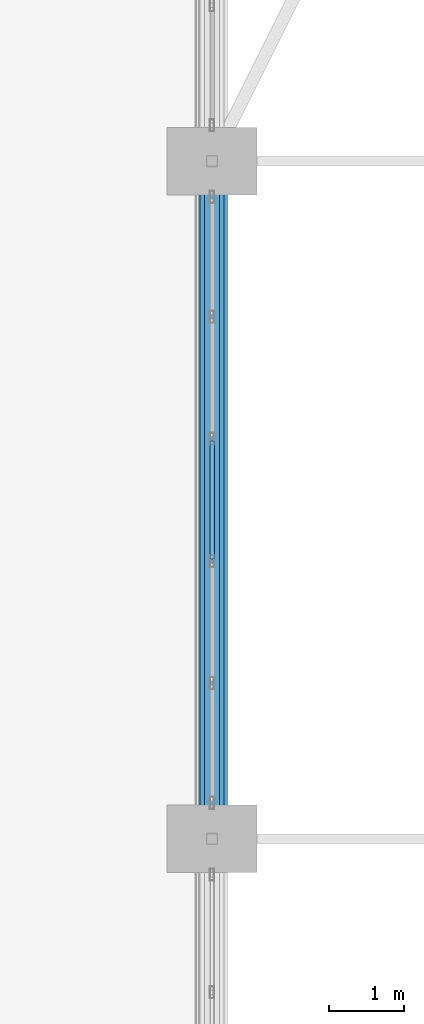
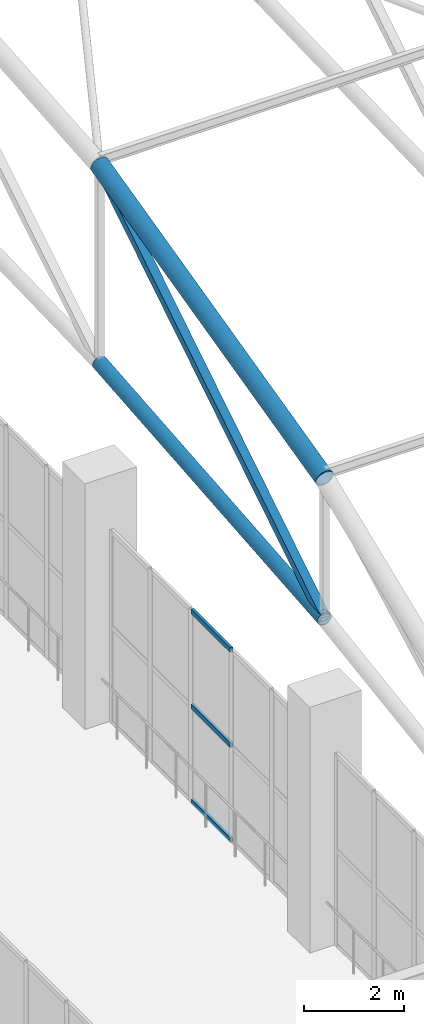
# One storey, part 37 of 223: 6 members, 1 element without a shape of its own.
"""IFC4 building model written with IfcOpenShell, lengths in metres."""

from ifc_helpers import new_model, si_unit, direction, frame, origin, origin_2d, place, context, subcontext, project, spatial, hollow_rectangle, hollow_circle, extrude, material, layer, layer_set, material_profile, profile_set, type_object, element, aggregate, save


model = new_model("IFC4")

# Units and contexts
model_context = context("Model", 3, precision=1e-05, world=origin(), true_north=direction((0.0, 1.0)))
body_context = subcontext(model_context, "Body", "Model", "MODEL_VIEW")
ifc_project = project(units=[si_unit("LENGTHUNIT", "METRE"), si_unit("AREAUNIT", "SQUARE_METRE"), si_unit("VOLUMEUNIT", "CUBIC_METRE"), si_unit("PLANEANGLEUNIT", "RADIAN"), si_unit("MASSUNIT", "GRAM", prefix="KILO")], contexts=[model_context])

# Site, building, storey
site_placement = place(None, origin())
site = spatial("IfcSite", under=ifc_project, at=site_placement, CompositionType="ELEMENT")
building_placement = place(site_placement, origin())
building = spatial("IfcBuilding", under=site, at=building_placement, Name="Dornveld Trade and Exhibition Forum", CompositionType="ELEMENT")
storey_placement = place(building_placement, frame((0.0, 0.0, 6.0)))
storey = spatial("IfcBuildingStorey", under=building, at=storey_placement, Name="L01", CompositionType="ELEMENT", Elevation=6.0)

# Curtain wall, members
ifc_material_1 = material(Name="Dark-bronze anodised aluminium and low-E glass", Category="aluminium")
ifc_layer = layer(ifc_material_1, 0.172119140625)
ifc_layer_set = layer_set([ifc_layer], Name="Dark-bronze anodised aluminium and low-E glass")
curtain_wall_type = type_object("IfcCurtainWallType", Name="CW-SYS-10", PredefinedType="USERDEFINED", material=ifc_layer_set)
curtain_wall_placement = place(storey_placement, origin())
curtain_wall = element("IfcCurtainWall", 1, at=curtain_wall_placement, inside=storey, type_object=curtain_wall_type, Name="L01 unitised curtain wall 10", ObjectType="UNITISED_CURTAIN_WALL", PredefinedType="USERDEFINED")
ifc_material_2 = material(Name="Dark-bronze anodised aluminium", Category="aluminium")
ifc_material_profile_1 = material_profile(ifc_material_2, hollow_rectangle(XDim=0.06005859375, YDim=0.1201171875, WallThickness=0.00390625, at=origin_2d()), Name="RHS 120x60x4")
ifc_profile_set_1 = profile_set([ifc_material_profile_1], Name="Dark-bronze anodised aluminium")
member_type_1 = type_object("IfcMemberType", Name="CW-TRN-120", PredefinedType="USERDEFINED", material=ifc_profile_set_1)
member_1_placement = place(storey_placement, frame((99.0, 122.28076171875, 0.02587890625), z_axis=(0.0, -1.0, 0.0), x_axis=(1.0, 0.0, 0.0)))
member_1 = element("IfcMember", 2, at=member_1_placement, type_object=member_type_1, Name="CW-10 transom 3.1", ObjectType="TRANSOM", PredefinedType="USERDEFINED", context=body_context, shape_type="SweptSolid", body=[
    extrude(hollow_rectangle(XDim=0.06005859375, YDim=0.1201171875, WallThickness=0.00390625, at=origin_2d()), origin(), (0.0, 0.0, 1.0), 1.5615234375),
])
member_2_placement = place(storey_placement, frame((99.0, 122.28076171875, 2.347900390625), z_axis=(0.0, -1.0, 0.0), x_axis=(1.0, 0.0, 0.0)))
member_2 = element("IfcMember", 3, at=member_2_placement, type_object=member_type_1, Name="CW-10 transom 3.2", ObjectType="TRANSOM", PredefinedType="USERDEFINED", context=body_context, shape_type="SweptSolid", body=[
    extrude(hollow_rectangle(XDim=0.06005859375, YDim=0.1201171875, WallThickness=0.00390625, at=origin_2d()), origin(), (0.0, 0.0, 1.0), 1.5615234375),
])
member_3_placement = place(storey_placement, frame((99.0, 122.28076171875, 4.669921875), z_axis=(0.0, -1.0, 0.0), x_axis=(1.0, 0.0, 0.0)))
member_3 = element("IfcMember", 4, at=member_3_placement, type_object=member_type_1, Name="CW-10 transom 3.3", ObjectType="TRANSOM", PredefinedType="USERDEFINED", context=body_context, shape_type="SweptSolid", body=[
    extrude(hollow_rectangle(XDim=0.06005859375, YDim=0.1201171875, WallThickness=0.00390625, at=origin_2d()), origin(), (0.0, 0.0, 1.0), 1.5615234375),
])
aggregate(curtain_wall, [member_1, member_2, member_3])

# Members
ifc_material_3 = material(Name="Steel S355J2", Category="steel")
ifc_material_profile_2 = material_profile(ifc_material_3, hollow_circle(Radius=0.161865234375, WallThickness=0.01611328125, at=origin_2d()), Name="CHS 323.9x16")
ifc_profile_set_2 = profile_set([ifc_material_profile_2], Name="Steel S355J2")
member_type_2 = type_object("IfcMemberType", Name="MEM-ARCH-BC", PredefinedType="CHORD", material=ifc_profile_set_2)
member_4_placement = place(storey_placement, frame((99.0, 117.0, 7.683349609375), z_axis=(0.0, 0.996072164085, 0.088545151956), x_axis=(-1.0, 0.0, 0.0)))
element("IfcMember", 5, at=member_4_placement, inside=storey, type_object=member_type_2, Name="H1 truss 1 tie chord 2", PredefinedType="CHORD", context=body_context, shape_type="SweptSolid", body=[
    extrude(hollow_circle(Radius=0.161865234375, WallThickness=0.01611328125, at=origin_2d()), origin(), (0.0, 0.0, 1.0), 9.035400390625),
])
ifc_material_4 = material(Name="Steel S355J2", Category="steel")
ifc_material_profile_3 = material_profile(ifc_material_4, hollow_circle(Radius=0.203125, WallThickness=0.02001953125, at=origin_2d()), Name="CHS 406.4x20")
ifc_profile_set_3 = profile_set([ifc_material_profile_3], Name="Steel S355J2")
member_type_3 = type_object("IfcMemberType", Name="MEM-ARCH-TC", PredefinedType="CHORD", material=ifc_profile_set_3)
member_5_placement = place(storey_placement, frame((99.0, 117.0, 11.11669921875), z_axis=(0.0, 0.971400222114, 0.237448117444), x_axis=(-1.0, 0.0, 0.0)))
element("IfcMember", 6, at=member_5_placement, inside=storey, type_object=member_type_3, Name="H1 truss 1 top chord 2", PredefinedType="CHORD", context=body_context, shape_type="SweptSolid", body=[
    extrude(hollow_circle(Radius=0.203125, WallThickness=0.02001953125, at=origin_2d()), origin(), (0.0, 0.0, 1.0), 9.264892578125),
])
ifc_material_5 = material(Name="Steel S355J2", Category="steel")
ifc_material_profile_4 = material_profile(ifc_material_5, hollow_rectangle(XDim=0.199951171875, YDim=0.199951171875, WallThickness=0.010009765625, at=origin_2d()), Name="SHS 200x200x10")
ifc_profile_set_4 = profile_set([ifc_material_profile_4], Name="Steel S355J2")
member_type_4 = type_object("IfcMemberType", Name="MEM-ARCH-WEB", PredefinedType="BRACE", material=ifc_profile_set_4)
member_6_placement = place(storey_placement, frame((99.0, 117.0, 7.683349609375), z_axis=(0.0, 0.847646750348, 0.530561011218), x_axis=(-1.0, 0.0, 0.0)))
element("IfcMember", 7, at=member_6_placement, inside=storey, type_object=member_type_4, Name="H1 truss 1 web 2", PredefinedType="BRACE", context=body_context, shape_type="SweptSolid", body=[
    extrude(hollow_rectangle(XDim=0.199951171875, YDim=0.199951171875, WallThickness=0.010009765625, at=origin_2d()), origin(), (0.0, 0.0, 1.0), 10.61767578125),
])

save(model, "model.ifc")
